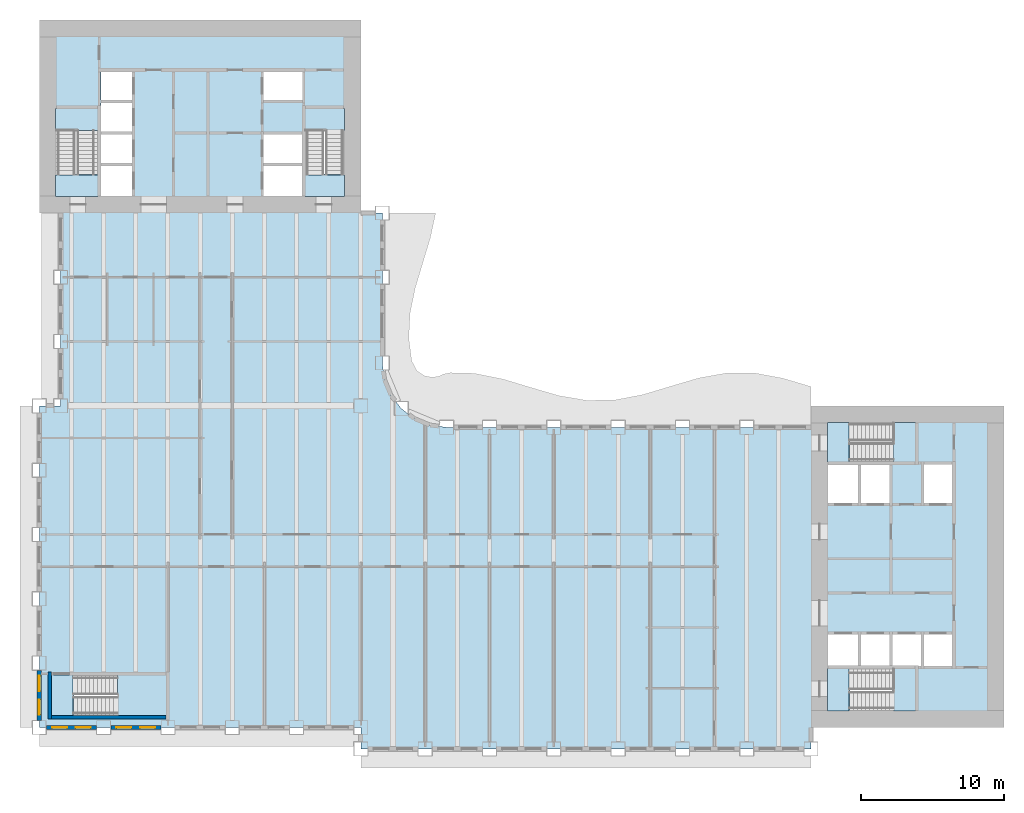
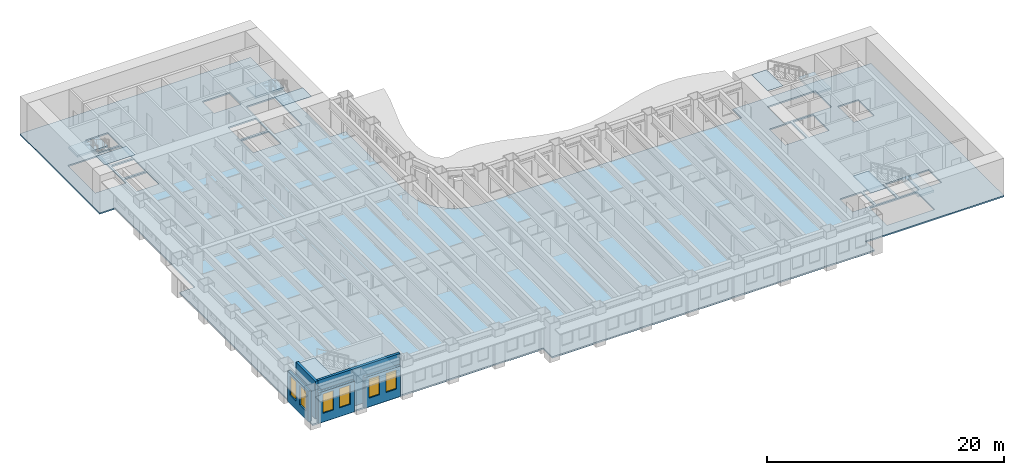
# One storey, part 2 of 16: 11 slabs, 6 windows, 5 walls, 6 openings, 5 elements without a shape of their own.
"""IFC4 building model written with IfcOpenShell, lengths in metres."""

import ifcopenshell
import ifcopenshell.guid

model = None  # the IFC model being written
_history = None  # IfcOwnerHistory: only IFC2X3 demands one
_inside = {}  # id of a spatial element -> (the spatial element, [elements in it])
_under = {}  # id of a project, library or spatial element -> (it, [spatial elements below it])
_declared = {}  # id of a project -> (the project, [libraries it declares])
_typed = {}  # id of a type object -> (the type object, [elements of that type])
_made_of = {}  # id of a material, layer set ... -> (it, [elements and type objects made of it])


def new_model(schema):
    """Start an empty IFC model of exactly this schema.

    Asked for "IFC4X3", IfcOpenShell would pick the latest addendum, in which some entities
    have other attributes; the version numbers below select the first issue.
    IFC2X3 requires an IfcOwnerHistory on every rooted entity: one is made here for all.
    """
    global model, _history
    if schema == "IFC4X3":
        model = ifcopenshell.file(schema_version=(4, 3, 0, 0))
    else:
        model = ifcopenshell.file(schema=schema)
    _inside.clear()
    _under.clear()
    _declared.clear()
    _typed.clear()
    _made_of.clear()
    _history = None
    if model.schema == "IFC2X3":
        org = make("IfcOrganization", Name="unknown")
        user = make(
            "IfcPersonAndOrganization",
            ThePerson=make("IfcPerson", FamilyName="unknown"),
            TheOrganization=org,
        )
        app = make(
            "IfcApplication",
            ApplicationDeveloper=org,
            Version="unknown",
            ApplicationFullName="unknown",
            ApplicationIdentifier="unknown",
        )
        _history = make(
            "IfcOwnerHistory",
            OwningUser=user,
            OwningApplication=app,
            ChangeAction="ADDED",
            CreationDate=0,
        )
    return model


def make(cls, **values):
    """One entity of the class cls with the attributes given. An attribute that is None is left unset."""
    return model.create_entity(
        cls, **{name: value for name, value in values.items() if value is not None}
    )


def rooted(cls, **values):
    """An entity with a GlobalId (a new one), such as an element, a storey or a relation."""
    return make(cls, GlobalId=ifcopenshell.guid.new(), OwnerHistory=_history, **values)


def si_unit(unit_type, name, prefix=None):
    """IfcSIUnit, for example si_unit("LENGTHUNIT", "METRE", prefix="MILLI")."""
    return make("IfcSIUnit", UnitType=unit_type, Prefix=prefix, Name=name)


def assignment(units):
    """IfcUnitAssignment: the units of a project."""
    return None if units is None else make("IfcUnitAssignment", Units=units)


def point(xyz):
    """IfcCartesianPoint."""
    return None if xyz is None else make("IfcCartesianPoint", Coordinates=xyz)


def direction(xyz):
    """IfcDirection."""
    return None if xyz is None else make("IfcDirection", DirectionRatios=xyz)


def frame(location, z_axis=None, x_axis=None):
    """IfcAxis2Placement3D, a coordinate frame: its origin and axes. An axis left out is left unset."""
    return make(
        "IfcAxis2Placement3D",
        Location=point(location),
        Axis=direction(z_axis),
        RefDirection=direction(x_axis),
    )


def frame_2d(location, x_axis=None):
    """IfcAxis2Placement2D, a coordinate frame in the plane: its origin and x axis."""
    return make(
        "IfcAxis2Placement2D", Location=point(location), RefDirection=direction(x_axis)
    )


def origin():
    """The frame at (0, 0, 0) with its axes left unset."""
    return frame((0.0, 0.0, 0.0))


def place(relative_to, where):
    """IfcLocalPlacement: puts the frame where relative to a parent placement (None: the world)."""
    return make(
        "IfcLocalPlacement", PlacementRelTo=relative_to, RelativePlacement=where
    )


def context(
    kind, dimensions, precision=None, world=None, true_north=None, identifier=None
):
    """IfcGeometricRepresentationContext, for example the 3D "Model" context."""
    return make(
        "IfcGeometricRepresentationContext",
        ContextIdentifier=identifier,
        ContextType=kind,
        CoordinateSpaceDimension=dimensions,
        Precision=precision,
        WorldCoordinateSystem=world,
        TrueNorth=true_north,
    )


def subcontext(parent, identifier, kind, view, scale=None):
    """IfcGeometricRepresentationSubContext, for example "Body" below "Model"."""
    return make(
        "IfcGeometricRepresentationSubContext",
        ContextIdentifier=identifier,
        ContextType=kind,
        ParentContext=parent,
        TargetScale=scale,
        TargetView=view,
    )


def project(units=None, contexts=None):
    """IfcProject with its units and contexts."""
    return rooted(
        "IfcProject",
        Name="project",
        RepresentationContexts=contexts,
        UnitsInContext=assignment(units),
    )


def spatial(cls, under=None, at=None, **own):
    """A site, building, storey or space (cls), placed at a placement, below another one or the project."""
    s = rooted(cls, ObjectPlacement=at, **own)
    if under is not None:
        _under.setdefault(under.id(), (under, []))[1].append(s)
    return s


def polyline(points):
    """IfcPolyline through the points."""
    return make("IfcPolyline", Points=[point(p) for p in points])


def profile(cls, at=None, kind="AREA", **sizes):
    """A parametric profile (cls). Its sizes go by their IFC names, for example OverallWidth=200.0."""
    return make(cls, ProfileType=kind, Position=at, **sizes)


def rectangle(**sizes):
    """IfcRectangleProfileDef."""
    return profile("IfcRectangleProfileDef", **sizes)


def outline(outer, holes=None, kind="AREA"):
    """IfcArbitraryClosedProfileDef: a profile drawn as a closed curve; with holes, ...WithVoids."""
    if holes is None:
        return make("IfcArbitraryClosedProfileDef", ProfileType=kind, OuterCurve=outer)
    return make(
        "IfcArbitraryProfileDefWithVoids",
        ProfileType=kind,
        OuterCurve=outer,
        InnerCurves=holes,
    )


def extrude(swept, where, along, depth):
    """IfcExtrudedAreaSolid: the profile swept, set in the frame where, extruded along a direction by depth."""
    return make(
        "IfcExtrudedAreaSolid",
        SweptArea=swept,
        Position=where,
        ExtrudedDirection=direction(along),
        Depth=depth,
    )


def shape(context_of_items, identifier, shape_type, items):
    """IfcShapeRepresentation: the items that make up one representation, for example the "Body"."""
    return make(
        "IfcShapeRepresentation",
        ContextOfItems=context_of_items,
        RepresentationIdentifier=identifier,
        RepresentationType=shape_type,
        Items=items,
    )


def material(Name=None, Category=None):
    """IfcMaterial."""
    return make("IfcMaterial", Name=Name, Category=Category)


def layer(
    of_material, thickness, ventilated=None, Name=None, Category=None, Priority=None
):
    """IfcMaterialLayer: one layer of a wall or slab, of a material (None: an air gap)."""
    return make(
        "IfcMaterialLayer",
        Material=of_material,
        LayerThickness=thickness,
        IsVentilated=ventilated,
        Name=Name,
        Category=Category,
        Priority=Priority,
    )


def layer_set(layers, Name=None):
    """IfcMaterialLayerSet."""
    return make("IfcMaterialLayerSet", MaterialLayers=layers, LayerSetName=Name)


def made_of(thing, what):
    """Note that an element or type object is made of a material, layer set ...; save() writes the relation."""
    if what is not None:
        _made_of.setdefault(what.id(), (what, []))[1].append(thing)
    return thing


def type_object(cls, material=None, **own):
    """A type object (cls), such as IfcWallType, which elements share."""
    return made_of(rooted(cls, **own), material)


def element(
    cls,
    number,
    at=None,
    inside=None,
    cuts=None,
    type_object=None,
    material=None,
    context=None,
    identifier="Body",
    shape_type=None,
    held_by="IfcProductDefinitionShape",
    body=None,
    shapes=None,
    **own,
):
    """One element of the class cls, such as IfcWall. Its Tag is "e" and its number.

    at: its placement. inside: the storey or other place that contains it. cuts: it is an
    opening in that element (IfcRelVoidsElement). A single representation is given by context,
    identifier, shape_type and body (its items); several are given by shapes. held_by: the class
    of the entity that holds the representations. save() writes the other relations.
    """
    e = rooted(cls, Tag="e%d" % number, ObjectPlacement=at, **own)
    if body is not None:
        shapes = [shape(context, identifier, shape_type, body)]
    if shapes is not None:
        e.Representation = make(held_by, Representations=shapes)
    if inside is not None:
        _inside.setdefault(inside.id(), (inside, []))[1].append(e)
    if cuts is not None:
        rooted(
            "IfcRelVoidsElement", RelatingBuildingElement=cuts, RelatedOpeningElement=e
        )
    if type_object is not None:
        _typed.setdefault(type_object.id(), (type_object, []))[1].append(e)
    return made_of(e, material)


def fill(opening, filler):
    """IfcRelFillsElement: the door or window that sits in an opening."""
    return rooted(
        "IfcRelFillsElement",
        RelatingOpeningElement=opening,
        RelatedBuildingElement=filler,
    )


def aggregate(whole, parts):
    """IfcRelAggregates: a whole, such as a stair, and the parts it consists of."""
    return rooted("IfcRelAggregates", RelatingObject=whole, RelatedObjects=parts)


def save(model, path):
    """Write the relations noted so far, then the file.

    IfcRelAggregates (storeys below a building ...), IfcRelContainedInSpatialStructure (elements
    in a storey), IfcRelDefinesByType, IfcRelAssociatesMaterial and IfcRelDeclares: one each for
    every whole, place, type object, material and project.
    """
    for whole, parts in _under.values():
        aggregate(whole, parts)
    for where, things in _inside.values():
        rooted(
            "IfcRelContainedInSpatialStructure",
            RelatedElements=things,
            RelatingStructure=where,
        )
    for kind, things in _typed.values():
        rooted("IfcRelDefinesByType", RelatedObjects=things, RelatingType=kind)
    for what, things in _made_of.values():
        rooted("IfcRelAssociatesMaterial", RelatedObjects=things, RelatingMaterial=what)
    for by, libraries in _declared.values():
        rooted("IfcRelDeclares", RelatingContext=by, RelatedDefinitions=libraries)
    model.write(path)


model = new_model("IFC4")

# Units and contexts
model_context = context("Model", 3, precision=1e-05, world=origin(), true_north=direction((0.0, 1.0)))
body_context = subcontext(model_context, "Body", "Model", "MODEL_VIEW")
ifc_project = project(units=[si_unit("LENGTHUNIT", "METRE"), si_unit("AREAUNIT", "SQUARE_METRE"), si_unit("VOLUMEUNIT", "CUBIC_METRE"), si_unit("PLANEANGLEUNIT", "RADIAN"), si_unit("MASSUNIT", "GRAM", prefix="KILO")], contexts=[model_context])

# Site, building, storey
site_placement = place(None, origin())
site = spatial("IfcSite", under=ifc_project, at=site_placement, CompositionType="ELEMENT")
building_placement = place(site_placement, origin())
building = spatial("IfcBuilding", under=site, at=building_placement, Name="Sennacour Bend Tower", CompositionType="ELEMENT")
storey_placement = place(building_placement, frame((0.0, 0.0, 91.0)))
storey = spatial("IfcBuildingStorey", under=building, at=storey_placement, Name="L20", CompositionType="ELEMENT", Elevation=91.0)

# Slabs
ifc_material_1 = material(Name="Concrete C30/37", Category="concrete")
ifc_layer_1 = layer(ifc_material_1, 0.14990234375, Name="Concrete C30/37", Category="concrete")
ifc_layer_set_1 = layer_set([ifc_layer_1], Name="Concrete C30/37")
slab_type_1 = type_object("IfcSlabType", Name="Floor slab 150", PredefinedType="FLOOR", material=ifc_layer_set_1)
slab_1_placement = place(storey_placement, frame((0.0, 0.0, -0.14990234375)))
element("IfcSlab", 1, at=slab_1_placement, inside=storey, type_object=slab_type_1, Name="Floor slab L20-01", PredefinedType="FLOOR", context=body_context, shape_type="SweptSolid", body=[
    extrude(outline(polyline([(22.5, 0.0), (0.0, 0.0), (0.0, 22.5), (1.5, 22.5), (1.5, 36.0), (0.0, 36.0), (0.0, 49.5), (22.5, 49.5), (22.5, 36.0), (24.0, 36.0), (24.0, 25.5), (24.1533203125, 24.335205078125), (24.602783203125, 23.25), (25.318115234375, 22.318115234375), (26.25, 21.602783203125), (27.335205078125, 21.1533203125), (28.5, 21.0), (54.0, 21.0), (54.0, 22.5), (67.5, 22.5), (67.5, 0.0), (54.0, 0.0), (54.0, -1.5), (22.5, -1.5), (22.5, 0.0)]), holes=[polyline([(8.800048828125, 0.949951171875), (8.800048828125, 3.5), (2.429931640625, 3.5), (2.429931640625, 0.949951171875), (8.800048828125, 0.949951171875)]), polyline([(6.5, 37.199951171875), (6.5, 39.300048828125), (4.300048828125, 39.300048828125), (4.300048828125, 37.199951171875), (6.5, 37.199951171875)]), polyline([(18.39990234375, 37.199951171875), (18.39990234375, 39.300048828125), (15.699951171875, 39.300048828125), (15.699951171875, 37.199951171875), (18.39990234375, 37.199951171875)]), polyline([(6.5, 39.5), (6.5, 41.5), (4.300048828125, 41.5), (4.300048828125, 39.5), (6.5, 39.5)]), polyline([(18.39990234375, 39.5), (18.39990234375, 41.5), (15.699951171875, 41.5), (15.699951171875, 39.5), (18.39990234375, 39.5)]), polyline([(4.125, 38.72998046875), (4.125, 43.39990234375), (1.14990234375, 43.39990234375), (1.14990234375, 38.72998046875), (4.125, 38.72998046875)]), polyline([(21.35009765625, 38.72998046875), (21.35009765625, 43.39990234375), (18.574951171875, 43.39990234375), (18.574951171875, 38.72998046875), (21.35009765625, 38.72998046875)]), polyline([(4.300048828125, 41.699951171875), (6.5, 41.699951171875), (6.5, 43.699951171875), (4.300048828125, 43.699951171875), (4.300048828125, 41.699951171875)]), polyline([(4.300048828125, 43.89990234375), (6.5, 43.89990234375), (6.5, 45.89990234375), (4.300048828125, 45.89990234375), (4.300048828125, 43.89990234375)]), polyline([(18.39990234375, 43.89990234375), (18.39990234375, 45.89990234375), (15.699951171875, 45.89990234375), (15.699951171875, 43.89990234375), (18.39990234375, 43.89990234375)]), polyline([(61.39990234375, 1.14990234375), (61.39990234375, 4.125), (56.72998046875, 4.125), (56.72998046875, 1.14990234375), (61.39990234375, 1.14990234375)]), polyline([(57.300048828125, 4.300048828125), (57.300048828125, 6.5), (55.199951171875, 6.5), (55.199951171875, 4.300048828125), (57.300048828125, 4.300048828125)]), polyline([(57.5, 4.300048828125), (59.5, 4.300048828125), (59.5, 6.5), (57.5, 6.5), (57.5, 4.300048828125)]), polyline([(59.699951171875, 4.300048828125), (61.699951171875, 4.300048828125), (61.699951171875, 6.5), (59.699951171875, 6.5), (59.699951171875, 4.300048828125)]), polyline([(63.89990234375, 4.300048828125), (63.89990234375, 6.5), (61.89990234375, 6.5), (61.89990234375, 4.300048828125), (63.89990234375, 4.300048828125)]), polyline([(57.300048828125, 15.699951171875), (57.300048828125, 18.39990234375), (55.199951171875, 18.39990234375), (55.199951171875, 15.699951171875), (57.300048828125, 15.699951171875)]), polyline([(59.5, 15.699951171875), (59.5, 18.39990234375), (57.5, 18.39990234375), (57.5, 15.699951171875), (59.5, 15.699951171875)]), polyline([(61.89990234375, 15.699951171875), (63.89990234375, 15.699951171875), (63.89990234375, 18.39990234375), (61.89990234375, 18.39990234375), (61.89990234375, 15.699951171875)]), polyline([(56.72998046875, 18.574951171875), (61.39990234375, 18.574951171875), (61.39990234375, 21.35009765625), (56.72998046875, 21.35009765625), (56.72998046875, 18.574951171875)])]), origin(), (0.0, 0.0, 1.0), 0.14990234375),
])
ifc_material_2 = material(Name="Concrete C40/50", Category="concrete")
ifc_layer_2 = layer(ifc_material_2, 0.034912109375, Name="Concrete C40/50", Category="concrete")
ifc_layer_set_2 = layer_set([ifc_layer_2], Name="Concrete C40/50")
slab_type_2 = type_object("IfcSlabType", Name="Stair arrival nib 35", PredefinedType="FLOOR", material=ifc_layer_set_2)
slab_2_placement = place(storey_placement, frame((0.0, 0.0, 3.815185546875)))
element("IfcSlab", 2, at=slab_2_placement, inside=storey, type_object=slab_type_2, Name="L20 SA1 stair arrival nib", PredefinedType="FLOOR", context=body_context, shape_type="SweptSolid", body=[
    extrude(outline(polyline([(56.64208984375, 4.125), (55.14990234375, 4.125), (55.14990234375, 1.14990234375), (56.64208984375, 1.14990234375), (56.64208984375, 4.125)])), origin(), (0.0, 0.0, 1.0), 0.034912109375),
])
slab_3_placement = place(storey_placement, frame((0.0, 0.0, 3.815185546875)))
element("IfcSlab", 3, at=slab_3_placement, inside=storey, type_object=slab_type_2, Name="L20 SA2 stair arrival nib", PredefinedType="FLOOR", context=body_context, shape_type="SweptSolid", body=[
    extrude(outline(polyline([(56.64208984375, 21.35009765625), (55.14990234375, 21.35009765625), (55.14990234375, 18.574951171875), (56.64208984375, 18.574951171875), (56.64208984375, 21.35009765625)])), origin(), (0.0, 0.0, 1.0), 0.034912109375),
])
slab_4_placement = place(storey_placement, frame((0.0, 0.0, 3.815185546875)))
element("IfcSlab", 4, at=slab_4_placement, inside=storey, type_object=slab_type_2, Name="L20 SB1 stair arrival nib", PredefinedType="FLOOR", context=body_context, shape_type="SweptSolid", body=[
    extrude(outline(polyline([(1.14990234375, 38.64208984375), (1.14990234375, 37.14990234375), (4.125, 37.14990234375), (4.125, 38.64208984375), (1.14990234375, 38.64208984375)])), origin(), (0.0, 0.0, 1.0), 0.034912109375),
])
slab_5_placement = place(storey_placement, frame((0.0, 0.0, 3.815185546875)))
element("IfcSlab", 5, at=slab_5_placement, inside=storey, type_object=slab_type_2, Name="L20 SB2 stair arrival nib", PredefinedType="FLOOR", context=body_context, shape_type="SweptSolid", body=[
    extrude(outline(polyline([(18.574951171875, 38.64208984375), (18.574951171875, 37.14990234375), (21.35009765625, 37.14990234375), (21.35009765625, 38.64208984375), (18.574951171875, 38.64208984375)])), origin(), (0.0, 0.0, 1.0), 0.034912109375),
])
slab_6_placement = place(storey_placement, frame((0.0, 0.0, 3.815185546875)))
element("IfcSlab", 6, at=slab_6_placement, inside=storey, type_object=slab_type_2, Name="L20 SK1 stair arrival nib", PredefinedType="FLOOR", context=body_context, shape_type="SweptSolid", body=[
    extrude(outline(polyline([(2.342041015625, 3.675048828125), (0.800048828125, 3.675048828125), (0.800048828125, 0.800048828125), (2.342041015625, 0.800048828125), (2.342041015625, 3.675048828125)])), origin(), (0.0, 0.0, 1.0), 0.034912109375),
])

# Stair, slab
stair_type = type_object("IfcStairType", Name="ST-DOGLEG", PredefinedType="HALF_TURN_STAIR", material=ifc_material_2)
stair_1_placement = place(storey_placement, origin())
stair_1 = element("IfcStair", 7, at=stair_1_placement, inside=storey, type_object=stair_type, Name="L20 Exit stair A1", PredefinedType="HALF_TURN_STAIR")
ifc_layer_3 = layer(ifc_material_2, 0.199951171875, Name="Concrete C40/50", Category="concrete")
ifc_layer_set_3 = layer_set([ifc_layer_3], Name="Concrete C40/50")
slab_type_3 = type_object("IfcSlabType", Name="Stair landing 200", PredefinedType="LANDING", material=ifc_layer_set_3)
slab_7_placement = place(storey_placement, frame((0.0, 0.0, 1.800048828125)))
slab_7 = element("IfcSlab", 8, at=slab_7_placement, type_object=slab_type_3, Name="SA1 landing 1", PredefinedType="LANDING", context=body_context, shape_type="SweptSolid", body=[
    extrude(outline(polyline([(59.780029296875, 1.14990234375), (61.324951171875, 1.14990234375), (61.324951171875, 4.125), (59.780029296875, 4.125), (59.780029296875, 1.14990234375)])), origin(), (0.0, 0.0, 1.0), 0.199951171875),
])
aggregate(stair_1, [slab_7])

stair_2_placement = place(storey_placement, origin())
stair_2 = element("IfcStair", 9, at=stair_2_placement, inside=storey, type_object=stair_type, Name="L20 Exit stair A2", PredefinedType="HALF_TURN_STAIR")
slab_8_placement = place(storey_placement, frame((0.0, 0.0, 1.800048828125)))
slab_8 = element("IfcSlab", 10, at=slab_8_placement, type_object=slab_type_3, Name="SA2 landing 1", PredefinedType="LANDING", context=body_context, shape_type="SweptSolid", body=[
    extrude(outline(polyline([(59.780029296875, 18.574951171875), (61.324951171875, 18.574951171875), (61.324951171875, 21.35009765625), (59.780029296875, 21.35009765625), (59.780029296875, 18.574951171875)])), origin(), (0.0, 0.0, 1.0), 0.199951171875),
])
aggregate(stair_2, [slab_8])

stair_3_placement = place(storey_placement, origin())
stair_3 = element("IfcStair", 11, at=stair_3_placement, inside=storey, type_object=stair_type, Name="L20 Exit stair B1", PredefinedType="HALF_TURN_STAIR")
slab_9_placement = place(storey_placement, frame((0.0, 0.0, 1.800048828125)))
slab_9 = element("IfcSlab", 12, at=slab_9_placement, type_object=slab_type_3, Name="SB1 landing 1", PredefinedType="LANDING", context=body_context, shape_type="SweptSolid", body=[
    extrude(outline(polyline([(1.14990234375, 41.780029296875), (4.125, 41.780029296875), (4.125, 43.324951171875), (1.14990234375, 43.324951171875), (1.14990234375, 41.780029296875)])), origin(), (0.0, 0.0, 1.0), 0.199951171875),
])
aggregate(stair_3, [slab_9])

stair_4_placement = place(storey_placement, origin())
stair_4 = element("IfcStair", 13, at=stair_4_placement, inside=storey, type_object=stair_type, Name="L20 Exit stair B2", PredefinedType="HALF_TURN_STAIR")
slab_10_placement = place(storey_placement, frame((0.0, 0.0, 1.800048828125)))
slab_10 = element("IfcSlab", 14, at=slab_10_placement, type_object=slab_type_3, Name="SB2 landing 1", PredefinedType="LANDING", context=body_context, shape_type="SweptSolid", body=[
    extrude(outline(polyline([(18.574951171875, 41.780029296875), (21.35009765625, 41.780029296875), (21.35009765625, 43.324951171875), (18.574951171875, 43.324951171875), (18.574951171875, 41.780029296875)])), origin(), (0.0, 0.0, 1.0), 0.199951171875),
])
aggregate(stair_4, [slab_10])

stair_5_placement = place(storey_placement, origin())
stair_5 = element("IfcStair", 15, at=stair_5_placement, inside=storey, type_object=stair_type, Name="L20 Exit stair K1", PredefinedType="HALF_TURN_STAIR")
slab_11_placement = place(storey_placement, frame((0.0, 0.0, 1.800048828125)))
slab_11 = element("IfcSlab", 16, at=slab_11_placement, type_object=slab_type_3, Name="SK1 landing 1", PredefinedType="LANDING", context=body_context, shape_type="SweptSolid", body=[
    extrude(outline(polyline([(5.47998046875, 0.800048828125), (8.925048828125, 0.800048828125), (8.925048828125, 3.675048828125), (5.47998046875, 3.675048828125), (5.47998046875, 0.800048828125)])), origin(), (0.0, 0.0, 1.0), 0.199951171875),
])
aggregate(stair_5, [slab_11])

# Wall, openings, windows
ifc_material_3 = material(Name="Warm limestone cladding", Category="masonry")
ifc_layer_4 = layer(ifc_material_3, 0.050048828125, Name="Warm limestone cladding", Category="masonry")
ifc_material_4 = material(Name="Precast concrete C40/50", Category="concrete")
ifc_layer_5 = layer(ifc_material_4, 0.25, Name="Precast concrete C40/50", Category="concrete")
ifc_layer_set_4 = layer_set([ifc_layer_4, ifc_layer_5], Name="Precast concrete C40/50 with limestone cladding")
wall_type_1 = type_object("IfcWallType", Name="STONE-CLAD PRECAST SPANDREL 300", PredefinedType="STANDARD", material=ifc_layer_set_4)
wall_1_placement = place(storey_placement, frame((0.0, 4.0, 0.0), z_axis=(0.0, 0.0, 1.0), x_axis=(0.0, -1.0, 0.0)))
wall_1 = element("IfcWall", 17, at=wall_1_placement, inside=storey, type_object=wall_type_1, Name="Stone spandrel and pier wall L20 21.04", PredefinedType="STANDARD", context=body_context, shape_type="SweptSolid", body=[
    extrude(rectangle(XDim=3.5, YDim=0.300048828125, at=frame_2d((1.75, 0.0))), origin(), (0.0, 0.0, 1.0), 3.154052734375),
])
opening_1_placement = place(wall_1_placement, frame((0.39990234375, 0.0, 0.89990234375)))
opening_1 = element("IfcOpeningElement", 18, at=opening_1_placement, cuts=wall_1, Name="Opening W13", PredefinedType="OPENING", context=body_context, shape_type="SweptSolid", body=[
    extrude(rectangle(XDim=1.050048828125, YDim=2.0, at=frame_2d((0.52490234375, 1.0))), frame((0.0, 0.16015625, 0.0), z_axis=(0.0, -1.0, 0.0), x_axis=(1.0, 0.0, 0.0)), (0.0, 0.0, 1.0), 0.320068359375),
])
opening_2_placement = place(wall_1_placement, frame((2.050048828125, 0.0, 0.89990234375)))
opening_2 = element("IfcOpeningElement", 19, at=opening_2_placement, cuts=wall_1, Name="Opening W13", PredefinedType="OPENING", context=body_context, shape_type="SweptSolid", body=[
    extrude(rectangle(XDim=1.050048828125, YDim=2.0, at=frame_2d((0.52490234375, 1.0))), frame((0.0, 0.16015625, 0.0), z_axis=(0.0, -1.0, 0.0), x_axis=(1.0, 0.0, 0.0)), (0.0, 0.0, 1.0), 0.320068359375),
])
ifc_material_5 = material(Name="Clear low-emissivity glass", Category="glass")
window_type = type_object("IfcWindowType", Name="WIN-RIBBON-1050x2000", PartitioningType="SINGLE_PANEL", PredefinedType="WINDOW", material=ifc_material_5)
window_1_placement = place(opening_1_placement, origin())
window_1 = element("IfcWindow", 20, at=window_1_placement, inside=storey, type_object=window_type, Name="Ribbon window L20 21.04.0", OverallHeight=2.0, OverallWidth=1.050048828125, PartitioningType="SINGLE_PANEL", PredefinedType="WINDOW", context=body_context, shape_type="SweptSolid", body=[
    extrude(rectangle(XDim=1.050048828125, YDim=2.0, at=frame_2d((0.52490234375, 1.0))), frame((0.0, 0.030029296875, 0.0), z_axis=(0.0, -1.0, 0.0), x_axis=(1.0, 0.0, 0.0)), (0.0, 0.0, 1.0), 0.06005859375),
])
fill(opening_1, window_1)
window_2_placement = place(opening_2_placement, origin())
window_2 = element("IfcWindow", 21, at=window_2_placement, inside=storey, type_object=window_type, Name="Ribbon window L20 21.04.1", OverallHeight=2.0, OverallWidth=1.050048828125, PartitioningType="SINGLE_PANEL", PredefinedType="WINDOW", context=body_context, shape_type="SweptSolid", body=[
    extrude(rectangle(XDim=1.050048828125, YDim=2.0, at=frame_2d((0.52490234375, 1.0))), frame((0.0, 0.030029296875, 0.0), z_axis=(0.0, -1.0, 0.0), x_axis=(1.0, 0.0, 0.0)), (0.0, 0.0, 1.0), 0.06005859375),
])
fill(opening_2, window_2)

wall_2_placement = place(storey_placement, frame((0.5, 0.0, 0.0), z_axis=(0.0, 0.0, 1.0), x_axis=(1.0, 0.0, 0.0)))
wall_2 = element("IfcWall", 22, at=wall_2_placement, inside=storey, type_object=wall_type_1, Name="Stone spandrel and pier wall L20 22.00", PredefinedType="STANDARD", context=body_context, shape_type="SweptSolid", body=[
    extrude(rectangle(XDim=3.5, YDim=0.300048828125, at=frame_2d((1.75, 0.0))), origin(), (0.0, 0.0, 1.0), 3.154052734375),
])
opening_3_placement = place(wall_2_placement, frame((0.39990234375, 0.0, 0.89990234375)))
opening_3 = element("IfcOpeningElement", 23, at=opening_3_placement, cuts=wall_2, Name="Opening W13", PredefinedType="OPENING", context=body_context, shape_type="SweptSolid", body=[
    extrude(rectangle(XDim=1.050048828125, YDim=2.0, at=frame_2d((0.52490234375, 1.0))), frame((0.0, 0.16015625, 0.0), z_axis=(0.0, -1.0, 0.0), x_axis=(1.0, 0.0, 0.0)), (0.0, 0.0, 1.0), 0.320068359375),
])
opening_4_placement = place(wall_2_placement, frame((2.050048828125, 0.0, 0.89990234375)))
opening_4 = element("IfcOpeningElement", 24, at=opening_4_placement, cuts=wall_2, Name="Opening W13", PredefinedType="OPENING", context=body_context, shape_type="SweptSolid", body=[
    extrude(rectangle(XDim=1.050048828125, YDim=2.0, at=frame_2d((0.52490234375, 1.0))), frame((0.0, 0.16015625, 0.0), z_axis=(0.0, -1.0, 0.0), x_axis=(1.0, 0.0, 0.0)), (0.0, 0.0, 1.0), 0.320068359375),
])
window_3_placement = place(opening_3_placement, origin())
window_3 = element("IfcWindow", 25, at=window_3_placement, inside=storey, type_object=window_type, Name="Ribbon window L20 22.00.0", OverallHeight=2.0, OverallWidth=1.050048828125, PartitioningType="SINGLE_PANEL", PredefinedType="WINDOW", context=body_context, shape_type="SweptSolid", body=[
    extrude(rectangle(XDim=1.050048828125, YDim=2.0, at=frame_2d((0.52490234375, 1.0))), frame((0.0, 0.030029296875, 0.0), z_axis=(0.0, -1.0, 0.0), x_axis=(1.0, 0.0, 0.0)), (0.0, 0.0, 1.0), 0.06005859375),
])
fill(opening_3, window_3)
window_4_placement = place(opening_4_placement, origin())
window_4 = element("IfcWindow", 26, at=window_4_placement, inside=storey, type_object=window_type, Name="Ribbon window L20 22.00.1", OverallHeight=2.0, OverallWidth=1.050048828125, PartitioningType="SINGLE_PANEL", PredefinedType="WINDOW", context=body_context, shape_type="SweptSolid", body=[
    extrude(rectangle(XDim=1.050048828125, YDim=2.0, at=frame_2d((0.52490234375, 1.0))), frame((0.0, 0.030029296875, 0.0), z_axis=(0.0, -1.0, 0.0), x_axis=(1.0, 0.0, 0.0)), (0.0, 0.0, 1.0), 0.06005859375),
])
fill(opening_4, window_4)

wall_3_placement = place(storey_placement, frame((5.0, 0.0, 0.0), z_axis=(0.0, 0.0, 1.0), x_axis=(1.0, 0.0, 0.0)))
wall_3 = element("IfcWall", 27, at=wall_3_placement, inside=storey, type_object=wall_type_1, Name="Stone spandrel and pier wall L20 22.01", PredefinedType="STANDARD", context=body_context, shape_type="SweptSolid", body=[
    extrude(rectangle(XDim=3.5, YDim=0.300048828125, at=frame_2d((1.75, 0.0))), origin(), (0.0, 0.0, 1.0), 3.154052734375),
])
opening_5_placement = place(wall_3_placement, frame((0.39990234375, 0.0, 0.89990234375)))
opening_5 = element("IfcOpeningElement", 28, at=opening_5_placement, cuts=wall_3, Name="Opening W13", PredefinedType="OPENING", context=body_context, shape_type="SweptSolid", body=[
    extrude(rectangle(XDim=1.050048828125, YDim=2.0, at=frame_2d((0.52490234375, 1.0))), frame((0.0, 0.16015625, 0.0), z_axis=(0.0, -1.0, 0.0), x_axis=(1.0, 0.0, 0.0)), (0.0, 0.0, 1.0), 0.320068359375),
])
opening_6_placement = place(wall_3_placement, frame((2.050048828125, 0.0, 0.89990234375)))
opening_6 = element("IfcOpeningElement", 29, at=opening_6_placement, cuts=wall_3, Name="Opening W13", PredefinedType="OPENING", context=body_context, shape_type="SweptSolid", body=[
    extrude(rectangle(XDim=1.050048828125, YDim=2.0, at=frame_2d((0.52490234375, 1.0))), frame((0.0, 0.16015625, 0.0), z_axis=(0.0, -1.0, 0.0), x_axis=(1.0, 0.0, 0.0)), (0.0, 0.0, 1.0), 0.320068359375),
])
window_5_placement = place(opening_5_placement, origin())
window_5 = element("IfcWindow", 30, at=window_5_placement, inside=storey, type_object=window_type, Name="Ribbon window L20 22.01.0", OverallHeight=2.0, OverallWidth=1.050048828125, PartitioningType="SINGLE_PANEL", PredefinedType="WINDOW", context=body_context, shape_type="SweptSolid", body=[
    extrude(rectangle(XDim=1.050048828125, YDim=2.0, at=frame_2d((0.52490234375, 1.0))), frame((0.0, 0.030029296875, 0.0), z_axis=(0.0, -1.0, 0.0), x_axis=(1.0, 0.0, 0.0)), (0.0, 0.0, 1.0), 0.06005859375),
])
fill(opening_5, window_5)
window_6_placement = place(opening_6_placement, origin())
window_6 = element("IfcWindow", 31, at=window_6_placement, inside=storey, type_object=window_type, Name="Ribbon window L20 22.01.1", OverallHeight=2.0, OverallWidth=1.050048828125, PartitioningType="SINGLE_PANEL", PredefinedType="WINDOW", context=body_context, shape_type="SweptSolid", body=[
    extrude(rectangle(XDim=1.050048828125, YDim=2.0, at=frame_2d((0.52490234375, 1.0))), frame((0.0, 0.030029296875, 0.0), z_axis=(0.0, -1.0, 0.0), x_axis=(1.0, 0.0, 0.0)), (0.0, 0.0, 1.0), 0.06005859375),
])
fill(opening_6, window_6)

# Walls
ifc_material_6 = material(Name="Concrete C60/75", Category="concrete")
ifc_layer_6 = layer(ifc_material_6, 0.25, Name="Concrete C60/75", Category="concrete")
ifc_layer_set_5 = layer_set([ifc_layer_6], Name="Concrete C60/75")
wall_type_2 = type_object("IfcWallType", Name="Stair wall 250", PredefinedType="SHEAR", material=ifc_layer_set_5)
wall_4_placement = place(storey_placement, frame((0.72509765625, 0.60009765625, 0.0), z_axis=(0.0, 0.0, 1.0), x_axis=(0.0, 1.0, 0.0)))
element("IfcWall", 32, at=wall_4_placement, inside=storey, type_object=wall_type_2, Name="P-L20-W002", PredefinedType="SHEAR", context=body_context, shape_type="SweptSolid", body=[
    extrude(rectangle(XDim=3.27490234375, YDim=0.25, at=frame_2d((1.637451171875, 0.0))), origin(), (0.0, 0.0, 1.0), 3.85009765625),
])
wall_5_placement = place(storey_placement, frame((0.85009765625, 0.72509765625, 0.0), z_axis=(0.0, 0.0, 1.0), x_axis=(1.0, 0.0, 0.0)))
element("IfcWall", 33, at=wall_5_placement, inside=storey, type_object=wall_type_2, Name="P-L20-W048", PredefinedType="SHEAR", context=body_context, shape_type="SweptSolid", body=[
    extrude(rectangle(XDim=8.02490234375, YDim=0.25, at=frame_2d((4.012451171875, 0.0))), origin(), (0.0, 0.0, 1.0), 3.85009765625),
])

save(model, "model.ifc")
